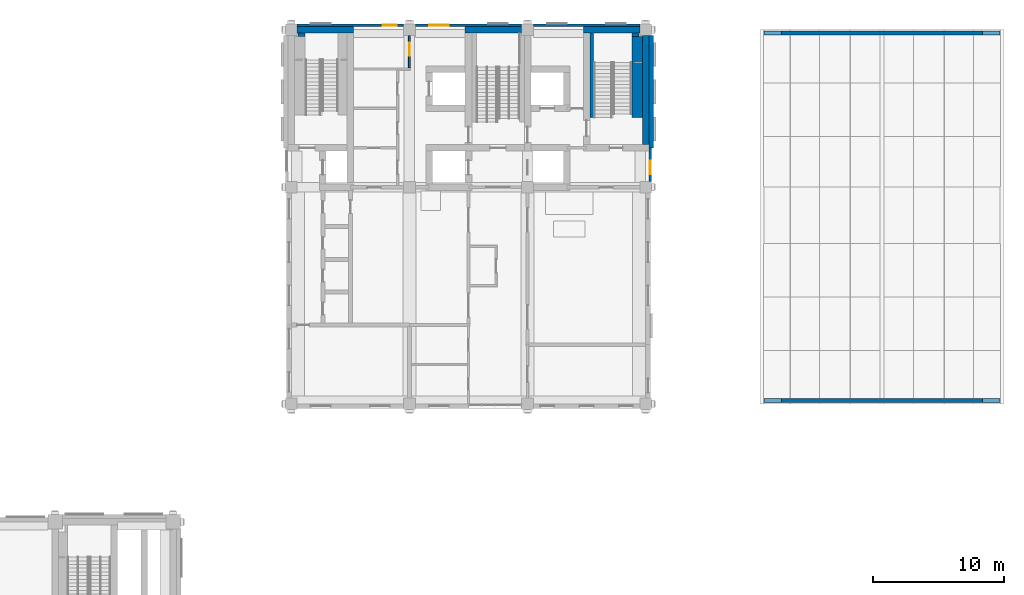
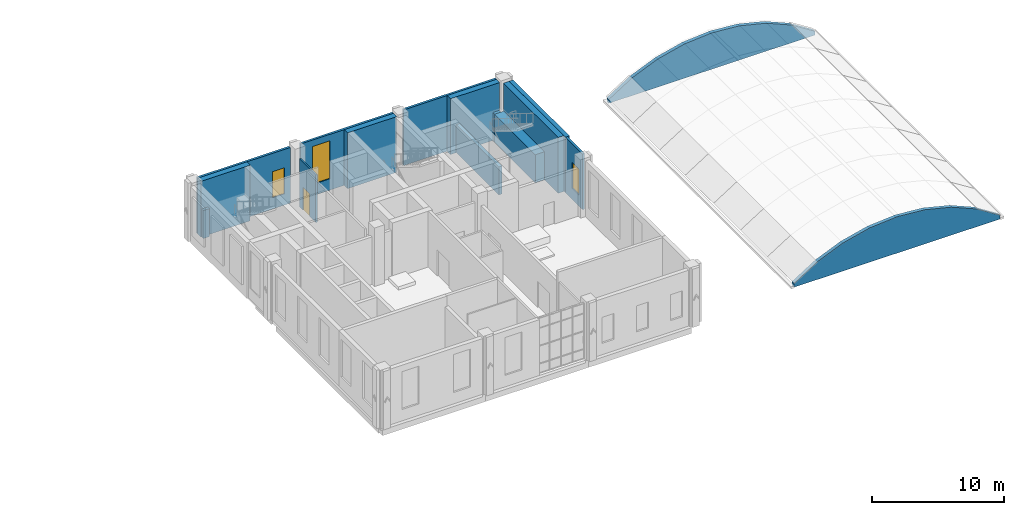
# One storey, part 18 of 25: 16 walls, 3 windows, 1 door, 4 openings.
"""IFC4 building model written with IfcOpenShell, lengths in metres."""

from ifc_helpers import new_model, si_unit, direction, frame, frame_2d, origin, place, context, subcontext, project, spatial, polyline, rectangle, outline, extrude, material, layer, layer_set, type_object, element, fill, save


model = new_model("IFC4")

# Units and contexts
model_context = context("Model", 3, precision=1e-05, world=origin(), true_north=direction((0.0, 1.0)))
body_context = subcontext(model_context, "Body", "Model", "MODEL_VIEW")
ifc_project = project(units=[si_unit("LENGTHUNIT", "METRE"), si_unit("AREAUNIT", "SQUARE_METRE"), si_unit("VOLUMEUNIT", "CUBIC_METRE"), si_unit("PLANEANGLEUNIT", "RADIAN"), si_unit("MASSUNIT", "GRAM", prefix="KILO")], contexts=[model_context])

# Site, building, storey
site_placement = place(None, origin())
site = spatial("IfcSite", under=ifc_project, at=site_placement, CompositionType="ELEMENT")
building_placement = place(site_placement, origin())
building = spatial("IfcBuilding", under=site, at=building_placement, Name="Aurelan Courthouse", CompositionType="ELEMENT")
storey_placement = place(building_placement, frame((0.0, 0.0, 33.60009765625)))
storey = spatial("IfcBuildingStorey", under=building, at=storey_placement, Name="L06", CompositionType="ELEMENT", Elevation=33.60009765625)

# Wall, opening, door
ifc_material_1 = material(Name="Gypsum board on metal studs")
ifc_layer_1 = layer(ifc_material_1, 0.14990234375)
ifc_layer_set_1 = layer_set([ifc_layer_1], Name="Gypsum board on metal studs")
wall_type_1 = type_object("IfcWallType", Name="Corridor partition 150 EI 60", PredefinedType="PARTITIONING", material=ifc_layer_set_1)
wall_1_placement = place(storey_placement, frame((45.0, 63.074951171875, 0.0), z_axis=(0.0, 0.0, 1.0), x_axis=(0.0, 1.0, 0.0)))
wall_1 = element("IfcWall", 1, at=wall_1_placement, inside=storey, type_object=wall_type_1, Name="Corridor partition L06-043", PredefinedType="PARTITIONING", context=body_context, shape_type="SweptSolid", body=[
    extrude(rectangle(XDim=2.47509765625, YDim=0.14990234375, at=frame_2d((1.237548828125, 0.0))), origin(), (0.0, 0.0, 1.0), 4.39990234375),
])
opening_1_placement = place(wall_1_placement, frame((0.925048828125, 0.0, 0.0)))
opening_1 = element("IfcOpeningElement", 2, at=opening_1_placement, cuts=wall_1, Name="Opening D-L06-031", PredefinedType="OPENING", context=body_context, shape_type="SweptSolid", body=[
    extrude(rectangle(XDim=1.0, YDim=2.10009765625, at=frame_2d((0.5, 1.050048828125))), frame((0.0, 0.0849609375, 0.0), z_axis=(0.0, -1.0, 0.0), x_axis=(1.0, 0.0, 0.0)), (0.0, 0.0, 1.0), 0.169921875),
])
ifc_material_2 = material(Name="Steel", Category="steel")
door_type = type_object("IfcDoorType", Name="Single door 1000 x 2100 FD60", OperationType="SINGLE_SWING_LEFT", PredefinedType="DOOR", material=ifc_material_2)
door_placement = place(opening_1_placement, origin())
door = element("IfcDoor", 3, at=door_placement, inside=storey, type_object=door_type, Name="Single door D-L06-031", OperationType="SINGLE_SWING_LEFT", OverallHeight=2.10009765625, OverallWidth=1.0, PredefinedType="DOOR", context=body_context, shape_type="SweptSolid", body=[
    extrude(rectangle(XDim=1.0, YDim=2.10009765625, at=frame_2d((0.5, 1.050048828125))), frame((0.0, 0.02490234375, 0.0), z_axis=(0.0, -1.0, 0.0), x_axis=(1.0, 0.0, 0.0)), (0.0, 0.0, 1.0), 0.050048828125),
])
fill(opening_1, door)

# Wall, opening, window
ifc_material_3 = material(Name="Limestone cladding", Category="masonry")
ifc_layer_2 = layer(ifc_material_3, 0.054931640625, Name="Facing")
ifc_material_4 = material(Name="Ventilated cavity")
ifc_layer_3 = layer(ifc_material_4, 0.02490234375, ventilated=True, Name="Ventilated cavity")
ifc_material_5 = material(Name="Mineral wool insulation")
ifc_layer_4 = layer(ifc_material_5, 0.030029296875, Name="Insulation")
ifc_material_6 = material(Name="Concrete C30", Category="concrete")
ifc_layer_5 = layer(ifc_material_6, 0.090087890625, Name="Structure")
ifc_layer_set_2 = layer_set([ifc_layer_2, ifc_layer_3, ifc_layer_4, ifc_layer_5], Name="Concrete C30")
wall_type_2 = type_object("IfcWallType", Name="Courtroom Block stone-faced wall 200", PredefinedType="SOLIDWALL", material=ifc_layer_set_2)
wall_2_placement = place(storey_placement, frame((36.449951171875, 66.35009765625, 0.0), z_axis=(0.0, 0.0, 1.0), x_axis=(1.0, 0.0, 0.0)))
wall_2 = element("IfcWall", 4, at=wall_2_placement, inside=storey, type_object=wall_type_2, Name="Facade wall FW-V2-L06-004", PredefinedType="SOLIDWALL", context=body_context, shape_type="SweptSolid", body=[
    extrude(rectangle(XDim=8.10009765625, YDim=0.199951171875, at=frame_2d((4.050048828125, 0.0))), origin(), (0.0, 0.0, 1.0), 5.14990234375),
])
opening_2_placement = place(wall_2_placement, frame((6.52490234375, 0.0, 1.050048828125)))
opening_2 = element("IfcOpeningElement", 5, at=opening_2_placement, cuts=wall_2, Name="Opening WN-V2-L06-007", PredefinedType="OPENING", context=body_context, shape_type="SweptSolid", body=[
    extrude(rectangle(XDim=1.050048828125, YDim=2.39990234375, at=frame_2d((0.52490234375, 1.199951171875))), frame((0.0, 0.10986328125, 0.0), z_axis=(0.0, -1.0, 0.0), x_axis=(1.0, 0.0, 0.0)), (0.0, 0.0, 1.0), 0.219970703125),
])
ifc_material_7 = material(Name="Bronze-finished aluminium and glass", Category="aluminium")
window_type_1 = type_object("IfcWindowType", Name="Courtroom Block window 1050 x 2400, sill 1050", PartitioningType="SINGLE_PANEL", PredefinedType="WINDOW", material=ifc_material_7)
window_1_placement = place(opening_2_placement, origin())
window_1 = element("IfcWindow", 6, at=window_1_placement, inside=storey, type_object=window_type_1, Name="Window WN-V2-L06-007", OverallHeight=2.39990234375, OverallWidth=1.050048828125, PartitioningType="SINGLE_PANEL", PredefinedType="WINDOW", context=body_context, shape_type="SweptSolid", body=[
    extrude(rectangle(XDim=1.050048828125, YDim=2.39990234375, at=frame_2d((0.52490234375, 1.199951171875))), frame((0.0, 0.030029296875, 0.0), z_axis=(0.0, -1.0, 0.0), x_axis=(1.0, 0.0, 0.0)), (0.0, 0.0, 1.0), 0.06005859375),
])
fill(opening_2, window_1)

wall_3_placement = place(storey_placement, frame((45.449951171875, 66.35009765625, 0.0), z_axis=(0.0, 0.0, 1.0), x_axis=(1.0, 0.0, 0.0)))
wall_3 = element("IfcWall", 7, at=wall_3_placement, inside=storey, type_object=wall_type_2, Name="Facade wall FW-V2-L06-005", PredefinedType="SOLIDWALL", context=body_context, shape_type="SweptSolid", body=[
    extrude(rectangle(XDim=8.10009765625, YDim=0.199951171875, at=frame_2d((4.050048828125, 0.0))), origin(), (0.0, 0.0, 1.0), 5.14990234375),
])
opening_3_placement = place(wall_3_placement, frame((1.050048828125, 0.0, 1.050048828125)))
opening_3 = element("IfcOpeningElement", 8, at=opening_3_placement, cuts=wall_3, Name="Opening WN-V2-L06-008", PredefinedType="OPENING", context=body_context, shape_type="SweptSolid", body=[
    extrude(rectangle(XDim=1.5, YDim=3.5, at=frame_2d((0.75, 1.75))), frame((0.0, 0.10986328125, 0.0), z_axis=(0.0, -1.0, 0.0), x_axis=(1.0, 0.0, 0.0)), (0.0, 0.0, 1.0), 0.219970703125),
])
window_type_2 = type_object("IfcWindowType", Name="Courtroom Block glazed slot 1500 x 3500, sill 1050", PartitioningType="SINGLE_PANEL", PredefinedType="WINDOW", material=ifc_material_7)
window_2_placement = place(opening_3_placement, origin())
window_2 = element("IfcWindow", 9, at=window_2_placement, inside=storey, type_object=window_type_2, Name="Glazed slot WN-V2-L06-008", OverallHeight=3.5, OverallWidth=1.5, PartitioningType="SINGLE_PANEL", PredefinedType="WINDOW", context=body_context, shape_type="SweptSolid", body=[
    extrude(rectangle(XDim=1.5, YDim=3.5, at=frame_2d((0.75, 1.75))), frame((0.0, 0.030029296875, 0.0), z_axis=(0.0, -1.0, 0.0), x_axis=(1.0, 0.0, 0.0)), (0.0, 0.0, 1.0), 0.06005859375),
])
fill(opening_3, window_2)

# Wall
wall_4_placement = place(storey_placement, frame((54.449951171875, 66.35009765625, 0.0), z_axis=(0.0, 0.0, 1.0), x_axis=(1.0, 0.0, 0.0)))
element("IfcWall", 10, at=wall_4_placement, inside=storey, type_object=wall_type_2, Name="Facade wall FW-V2-L06-006", PredefinedType="SOLIDWALL", context=body_context, shape_type="SweptSolid", body=[
    extrude(rectangle(XDim=8.10009765625, YDim=0.199951171875, at=frame_2d((4.050048828125, 0.0))), origin(), (0.0, 0.0, 1.0), 5.14990234375),
])

# Wall, opening, window
wall_5_placement = place(storey_placement, frame((63.35009765625, 54.449951171875, 0.0), z_axis=(0.0, 0.0, 1.0), x_axis=(0.0, 1.0, 0.0)))
wall_5 = element("IfcWall", 11, at=wall_5_placement, inside=storey, type_object=wall_type_2, Name="Facade wall FW-V2-L06-009", PredefinedType="SOLIDWALL", context=body_context, shape_type="SweptSolid", body=[
    extrude(rectangle(XDim=2.550048828125, YDim=0.199951171875, at=frame_2d((1.27490234375, 0.0))), origin(), (0.0, 0.0, 1.0), 5.14990234375),
])
opening_4_placement = place(wall_5_placement, frame((0.52490234375, 0.0, 1.050048828125)))
opening_4 = element("IfcOpeningElement", 12, at=opening_4_placement, cuts=wall_5, Name="Opening WN-V2-L06-013", PredefinedType="OPENING", context=body_context, shape_type="SweptSolid", body=[
    extrude(rectangle(XDim=1.050048828125, YDim=2.39990234375, at=frame_2d((0.52490234375, 1.199951171875))), frame((0.0, 0.10986328125, 0.0), z_axis=(0.0, -1.0, 0.0), x_axis=(1.0, 0.0, 0.0)), (0.0, 0.0, 1.0), 0.219970703125),
])
window_3_placement = place(opening_4_placement, origin())
window_3 = element("IfcWindow", 13, at=window_3_placement, inside=storey, type_object=window_type_1, Name="Window WN-V2-L06-013", OverallHeight=2.39990234375, OverallWidth=1.050048828125, PartitioningType="SINGLE_PANEL", PredefinedType="WINDOW", context=body_context, shape_type="SweptSolid", body=[
    extrude(rectangle(XDim=1.050048828125, YDim=2.39990234375, at=frame_2d((0.52490234375, 1.199951171875))), frame((0.0, 0.030029296875, 0.0), z_axis=(0.0, -1.0, 0.0), x_axis=(1.0, 0.0, 0.0)), (0.0, 0.0, 1.0), 0.06005859375),
])
fill(opening_4, window_3)

# Walls
ifc_layer_6 = layer(ifc_material_3, 0.10009765625, Name="Facing")
ifc_layer_7 = layer(ifc_material_4, 0.02490234375, ventilated=True, Name="Ventilated cavity")
ifc_layer_8 = layer(ifc_material_5, 0.050048828125, Name="Insulation")
ifc_layer_9 = layer(ifc_material_6, 0.175048828125, Name="Structure")
ifc_layer_set_3 = layer_set([ifc_layer_6, ifc_layer_7, ifc_layer_8, ifc_layer_9], Name="Concrete C30")
wall_type_3 = type_object("IfcWallType", Name="Courtroom Block stone-faced wall 350", PredefinedType="SOLIDWALL", material=ifc_layer_set_3)
wall_6_placement = place(storey_placement, frame((63.425048828125, 57.0, 0.0), z_axis=(0.0, 0.0, 1.0), x_axis=(0.0, 1.0, 0.0)))
element("IfcWall", 14, at=wall_6_placement, inside=storey, type_object=wall_type_3, Name="Facade wall FW-V2-L06-010", PredefinedType="SOLIDWALL", context=body_context, shape_type="SweptSolid", body=[
    extrude(rectangle(XDim=8.550048828125, YDim=0.35009765625, at=frame_2d((4.27490234375, 0.0))), origin(), (0.0, 0.0, 1.0), 5.14990234375),
])
ifc_material_8 = material(Name="Concrete C50", Category="concrete")
ifc_layer_10 = layer(ifc_material_8, 0.5)
ifc_layer_set_4 = layer_set([ifc_layer_10], Name="Concrete C50")
wall_type_4 = type_object("IfcWallType", Name="RC shear wall 500", PredefinedType="SHEAR", material=ifc_layer_set_4)
wall_7_placement = place(storey_placement, frame((63.0, 57.25, 0.0), z_axis=(0.0, 0.0, 1.0), x_axis=(0.0, 1.0, 0.0)))
element("IfcWall", 15, at=wall_7_placement, inside=storey, type_object=wall_type_4, Name="Core wall SW-L06-030", PredefinedType="SHEAR", context=body_context, shape_type="SweptSolid", body=[
    extrude(rectangle(XDim=8.300048828125, YDim=0.5, at=frame_2d((4.14990234375, 0.0))), origin(), (0.0, 0.0, 1.0), 5.14990234375),
])
for number, where, z_axis, x_axis, name in (
    (16, (36.449951171875, 66.0, 0.0), (0.0, 0.0, 1.0), (1.0, 0.0, 0.0), "Core wall SW-L06-037"),
    (17, (49.25, 66.0, 0.0), (0.0, 0.0, 1.0), (1.0, 0.0, 0.0), "Core wall SW-L06-038"),
    (18, (58.25, 66.0, 0.0), (0.0, 0.0, 1.0), (1.0, 0.0, 0.0), "Core wall SW-L06-039"),
):
    element("IfcWall", number, at=place(storey_placement, frame(where, z_axis=z_axis, x_axis=x_axis)), inside=storey, type_object=wall_type_4, Name=name, PredefinedType="SHEAR", context=body_context, shape_type="SweptSolid", body=[
        extrude(rectangle(XDim=4.300048828125, YDim=0.5, at=frame_2d((2.14990234375, 0.0))), origin(), (0.0, 0.0, 1.0), 5.14990234375),
    ])
ifc_layer_11 = layer(ifc_material_6, 0.2900390625)
ifc_layer_set_5 = layer_set([ifc_layer_11], Name="Concrete C30")
wall_type_5 = type_object("IfcWallType", Name="Stair well wall 290 EI 120 load-bearing", PredefinedType="SHEAR", material=ifc_layer_set_5)
wall_8_placement = place(storey_placement, frame((58.89501953125, 59.31005859375, 0.0), z_axis=(0.0, 0.0, 1.0), x_axis=(0.0, 1.0, 0.0)))
element("IfcWall", 19, at=wall_8_placement, inside=storey, type_object=wall_type_5, Name="Stair well wall ST-2E-L06 A", PredefinedType="SHEAR", context=body_context, shape_type="SweptSolid", body=[
    extrude(rectangle(XDim=6.43994140625, YDim=0.2900390625, at=frame_2d((3.219970703125, 0.0))), origin(), (0.0, 0.0, 1.0), 2.5869140625),
])
ifc_layer_12 = layer(ifc_material_6, 0.56005859375)
ifc_layer_set_6 = layer_set([ifc_layer_12], Name="Concrete C30")
wall_type_6 = type_object("IfcWallType", Name="Stair well wall 560 EI 120 load-bearing", PredefinedType="SHEAR", material=ifc_layer_set_6)
for number, where, z_axis, x_axis, name in (
    (20, (36.780029296875, 65.5, 0.0), (0.0, 0.0, 1.0), (0.0, 1.0, 0.0), "Stair well wall CS-2-L06 A2"),
    (21, (62.219970703125, 65.5, 0.0), (0.0, 0.0, 1.0), (0.0, 1.0, 0.0), "Stair well wall ST-2E-L06 B2"),
):
    element("IfcWall", number, at=place(storey_placement, frame(where, z_axis=z_axis, x_axis=x_axis)), inside=storey, type_object=wall_type_6, Name=name, PredefinedType="SHEAR", context=body_context, shape_type="SweptSolid", body=[
        extrude(rectangle(XDim=0.25, YDim=0.56005859375, at=frame_2d((0.125, 0.0))), origin(), (0.0, 0.0, 1.0), 2.5869140625),
    ])
ifc_layer_13 = layer(ifc_material_6, 0.81005859375)
ifc_layer_set_7 = layer_set([ifc_layer_13], Name="Concrete C30")
wall_type_7 = type_object("IfcWallType", Name="Stair well wall 810 EI 120 load-bearing", PredefinedType="SHEAR", material=ifc_layer_set_7)
wall_9_placement = place(storey_placement, frame((62.344970703125, 59.31005859375, 0.0), z_axis=(0.0, 0.0, 1.0), x_axis=(0.0, 1.0, 0.0)))
element("IfcWall", 22, at=wall_9_placement, inside=storey, type_object=wall_type_7, Name="Stair well wall ST-2E-L06 B", PredefinedType="SHEAR", context=body_context, shape_type="SweptSolid", body=[
    extrude(rectangle(XDim=6.18994140625, YDim=0.81005859375, at=frame_2d((3.094970703125, 0.0))), origin(), (0.0, 0.0, 1.0), 2.5869140625),
])
ifc_layer_14 = layer(ifc_material_3, 0.300048828125)
ifc_layer_set_8 = layer_set([ifc_layer_14], Name="Limestone cladding")
wall_type_8 = type_object("IfcWallType", Name="Vault gable wall 300", PredefinedType="SOLIDWALL", material=ifc_layer_set_8)
for number, where, z_axis, x_axis, name in (
    (23, (72.0, 37.739990234375, 0.0), (0.0, 0.0, 1.0), (1.0, 0.0, 0.0), "Vault gable wall VFG-01"),
    (24, (72.0, 65.760009765625, 0.0), (0.0, 0.0, 1.0), (1.0, 0.0, 0.0), "Vault gable wall VFG-02"),
):
    element("IfcWall", number, at=place(storey_placement, frame(where, z_axis=z_axis, x_axis=x_axis)), inside=storey, type_object=wall_type_8, Name=name, PredefinedType="SOLIDWALL", context=body_context, shape_type="SweptSolid", body=[
        extrude(outline(polyline([(0.0, 0.0), (18.0, 0.0), (18.0, 0.358154296875), (15.961669921875, 1.644775390625), (13.743408203125, 2.58837890625), (11.402587890625, 3.164306640625), (9.0, 3.358154296875), (6.597412109375, 3.164306640625), (4.256591796875, 2.58837890625), (2.038330078125, 1.644775390625), (0.0, 0.358154296875), (0.0, 0.0)])), frame((0.0, 0.14990234375, 0.0), z_axis=(0.0, -1.0, 0.0), x_axis=(1.0, 0.0, 0.0)), (0.0, 0.0, 1.0), 0.300048828125),
    ])

save(model, "model.ifc")
